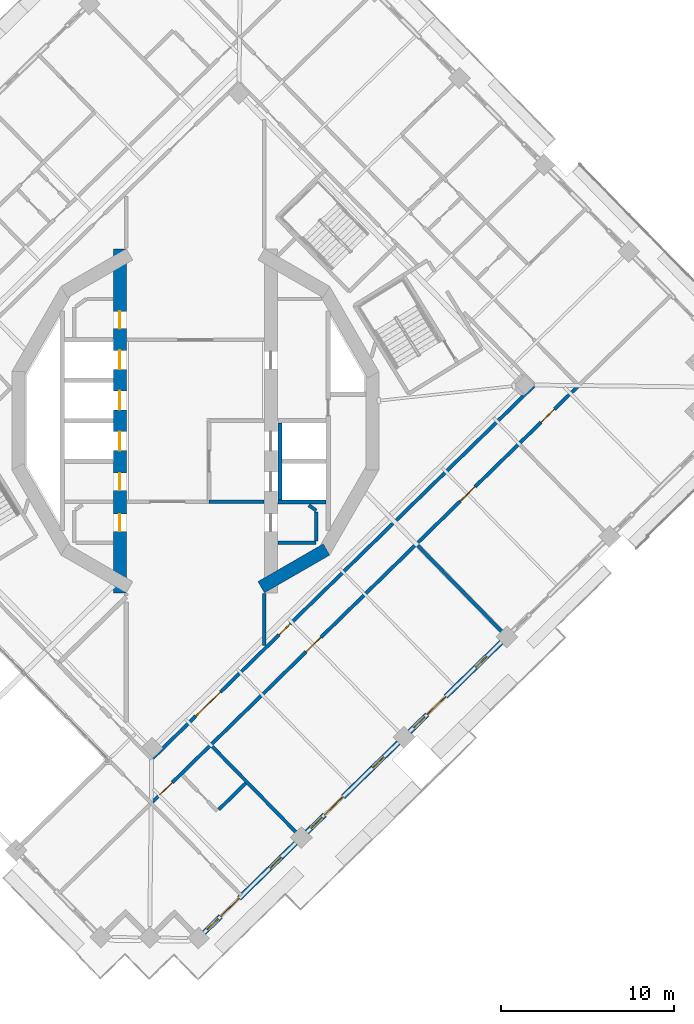
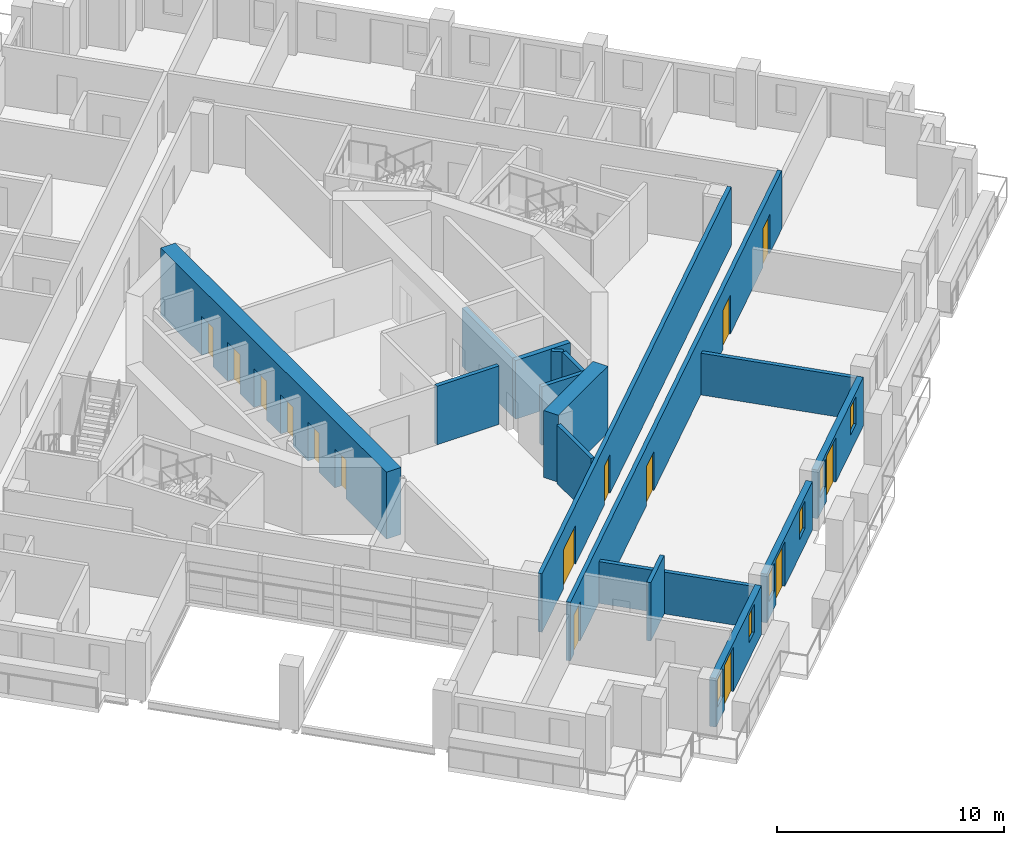
# One storey, part 8 of 19: 17 walls, 15 doors, 6 windows, 21 openings.
"""IFC4 building model written with IfcOpenShell, lengths in metres."""

import ifcopenshell
import ifcopenshell.guid

model = None  # the IFC model being written
_history = None  # IfcOwnerHistory: only IFC2X3 demands one
_inside = {}  # id of a spatial element -> (the spatial element, [elements in it])
_under = {}  # id of a project, library or spatial element -> (it, [spatial elements below it])
_declared = {}  # id of a project -> (the project, [libraries it declares])
_typed = {}  # id of a type object -> (the type object, [elements of that type])
_made_of = {}  # id of a material, layer set ... -> (it, [elements and type objects made of it])


def new_model(schema):
    """Start an empty IFC model of exactly this schema.

    Asked for "IFC4X3", IfcOpenShell would pick the latest addendum, in which some entities
    have other attributes; the version numbers below select the first issue.
    IFC2X3 requires an IfcOwnerHistory on every rooted entity: one is made here for all.
    """
    global model, _history
    if schema == "IFC4X3":
        model = ifcopenshell.file(schema_version=(4, 3, 0, 0))
    else:
        model = ifcopenshell.file(schema=schema)
    _inside.clear()
    _under.clear()
    _declared.clear()
    _typed.clear()
    _made_of.clear()
    _history = None
    if model.schema == "IFC2X3":
        org = make("IfcOrganization", Name="unknown")
        user = make(
            "IfcPersonAndOrganization",
            ThePerson=make("IfcPerson", FamilyName="unknown"),
            TheOrganization=org,
        )
        app = make(
            "IfcApplication",
            ApplicationDeveloper=org,
            Version="unknown",
            ApplicationFullName="unknown",
            ApplicationIdentifier="unknown",
        )
        _history = make(
            "IfcOwnerHistory",
            OwningUser=user,
            OwningApplication=app,
            ChangeAction="ADDED",
            CreationDate=0,
        )
    return model


def make(cls, **values):
    """One entity of the class cls with the attributes given. An attribute that is None is left unset."""
    return model.create_entity(
        cls, **{name: value for name, value in values.items() if value is not None}
    )


def rooted(cls, **values):
    """An entity with a GlobalId (a new one), such as an element, a storey or a relation."""
    return make(cls, GlobalId=ifcopenshell.guid.new(), OwnerHistory=_history, **values)


def si_unit(unit_type, name, prefix=None):
    """IfcSIUnit, for example si_unit("LENGTHUNIT", "METRE", prefix="MILLI")."""
    return make("IfcSIUnit", UnitType=unit_type, Prefix=prefix, Name=name)


def assignment(units):
    """IfcUnitAssignment: the units of a project."""
    return None if units is None else make("IfcUnitAssignment", Units=units)


def point(xyz):
    """IfcCartesianPoint."""
    return None if xyz is None else make("IfcCartesianPoint", Coordinates=xyz)


def direction(xyz):
    """IfcDirection."""
    return None if xyz is None else make("IfcDirection", DirectionRatios=xyz)


def frame(location, z_axis=None, x_axis=None):
    """IfcAxis2Placement3D, a coordinate frame: its origin and axes. An axis left out is left unset."""
    return make(
        "IfcAxis2Placement3D",
        Location=point(location),
        Axis=direction(z_axis),
        RefDirection=direction(x_axis),
    )


def frame_2d(location, x_axis=None):
    """IfcAxis2Placement2D, a coordinate frame in the plane: its origin and x axis."""
    return make(
        "IfcAxis2Placement2D", Location=point(location), RefDirection=direction(x_axis)
    )


def origin():
    """The frame at (0, 0, 0) with its axes left unset."""
    return frame((0.0, 0.0, 0.0))


def place(relative_to, where):
    """IfcLocalPlacement: puts the frame where relative to a parent placement (None: the world)."""
    return make(
        "IfcLocalPlacement", PlacementRelTo=relative_to, RelativePlacement=where
    )


def context(
    kind, dimensions, precision=None, world=None, true_north=None, identifier=None
):
    """IfcGeometricRepresentationContext, for example the 3D "Model" context."""
    return make(
        "IfcGeometricRepresentationContext",
        ContextIdentifier=identifier,
        ContextType=kind,
        CoordinateSpaceDimension=dimensions,
        Precision=precision,
        WorldCoordinateSystem=world,
        TrueNorth=true_north,
    )


def subcontext(parent, identifier, kind, view, scale=None):
    """IfcGeometricRepresentationSubContext, for example "Body" below "Model"."""
    return make(
        "IfcGeometricRepresentationSubContext",
        ContextIdentifier=identifier,
        ContextType=kind,
        ParentContext=parent,
        TargetScale=scale,
        TargetView=view,
    )


def project(units=None, contexts=None):
    """IfcProject with its units and contexts."""
    return rooted(
        "IfcProject",
        Name="project",
        RepresentationContexts=contexts,
        UnitsInContext=assignment(units),
    )


def spatial(cls, under=None, at=None, **own):
    """A site, building, storey or space (cls), placed at a placement, below another one or the project."""
    s = rooted(cls, ObjectPlacement=at, **own)
    if under is not None:
        _under.setdefault(under.id(), (under, []))[1].append(s)
    return s


def profile(cls, at=None, kind="AREA", **sizes):
    """A parametric profile (cls). Its sizes go by their IFC names, for example OverallWidth=200.0."""
    return make(cls, ProfileType=kind, Position=at, **sizes)


def rectangle(**sizes):
    """IfcRectangleProfileDef."""
    return profile("IfcRectangleProfileDef", **sizes)


def extrude(swept, where, along, depth):
    """IfcExtrudedAreaSolid: the profile swept, set in the frame where, extruded along a direction by depth."""
    return make(
        "IfcExtrudedAreaSolid",
        SweptArea=swept,
        Position=where,
        ExtrudedDirection=direction(along),
        Depth=depth,
    )


def shape(context_of_items, identifier, shape_type, items):
    """IfcShapeRepresentation: the items that make up one representation, for example the "Body"."""
    return make(
        "IfcShapeRepresentation",
        ContextOfItems=context_of_items,
        RepresentationIdentifier=identifier,
        RepresentationType=shape_type,
        Items=items,
    )


def material(Name=None, Category=None):
    """IfcMaterial."""
    return make("IfcMaterial", Name=Name, Category=Category)


def layer(
    of_material, thickness, ventilated=None, Name=None, Category=None, Priority=None
):
    """IfcMaterialLayer: one layer of a wall or slab, of a material (None: an air gap)."""
    return make(
        "IfcMaterialLayer",
        Material=of_material,
        LayerThickness=thickness,
        IsVentilated=ventilated,
        Name=Name,
        Category=Category,
        Priority=Priority,
    )


def layer_set(layers, Name=None):
    """IfcMaterialLayerSet."""
    return make("IfcMaterialLayerSet", MaterialLayers=layers, LayerSetName=Name)


def made_of(thing, what):
    """Note that an element or type object is made of a material, layer set ...; save() writes the relation."""
    if what is not None:
        _made_of.setdefault(what.id(), (what, []))[1].append(thing)
    return thing


def type_object(cls, material=None, **own):
    """A type object (cls), such as IfcWallType, which elements share."""
    return made_of(rooted(cls, **own), material)


def element(
    cls,
    number,
    at=None,
    inside=None,
    cuts=None,
    type_object=None,
    material=None,
    context=None,
    identifier="Body",
    shape_type=None,
    held_by="IfcProductDefinitionShape",
    body=None,
    shapes=None,
    **own,
):
    """One element of the class cls, such as IfcWall. Its Tag is "e" and its number.

    at: its placement. inside: the storey or other place that contains it. cuts: it is an
    opening in that element (IfcRelVoidsElement). A single representation is given by context,
    identifier, shape_type and body (its items); several are given by shapes. held_by: the class
    of the entity that holds the representations. save() writes the other relations.
    """
    e = rooted(cls, Tag="e%d" % number, ObjectPlacement=at, **own)
    if body is not None:
        shapes = [shape(context, identifier, shape_type, body)]
    if shapes is not None:
        e.Representation = make(held_by, Representations=shapes)
    if inside is not None:
        _inside.setdefault(inside.id(), (inside, []))[1].append(e)
    if cuts is not None:
        rooted(
            "IfcRelVoidsElement", RelatingBuildingElement=cuts, RelatedOpeningElement=e
        )
    if type_object is not None:
        _typed.setdefault(type_object.id(), (type_object, []))[1].append(e)
    return made_of(e, material)


def fill(opening, filler):
    """IfcRelFillsElement: the door or window that sits in an opening."""
    return rooted(
        "IfcRelFillsElement",
        RelatingOpeningElement=opening,
        RelatedBuildingElement=filler,
    )


def aggregate(whole, parts):
    """IfcRelAggregates: a whole, such as a stair, and the parts it consists of."""
    return rooted("IfcRelAggregates", RelatingObject=whole, RelatedObjects=parts)


def save(model, path):
    """Write the relations noted so far, then the file.

    IfcRelAggregates (storeys below a building ...), IfcRelContainedInSpatialStructure (elements
    in a storey), IfcRelDefinesByType, IfcRelAssociatesMaterial and IfcRelDeclares: one each for
    every whole, place, type object, material and project.
    """
    for whole, parts in _under.values():
        aggregate(whole, parts)
    for where, things in _inside.values():
        rooted(
            "IfcRelContainedInSpatialStructure",
            RelatedElements=things,
            RelatingStructure=where,
        )
    for kind, things in _typed.values():
        rooted("IfcRelDefinesByType", RelatedObjects=things, RelatingType=kind)
    for what, things in _made_of.values():
        rooted("IfcRelAssociatesMaterial", RelatedObjects=things, RelatingMaterial=what)
    for by, libraries in _declared.values():
        rooted("IfcRelDeclares", RelatingContext=by, RelatedDefinitions=libraries)
    model.write(path)


model = new_model("IFC4")

# Units and contexts
model_context = context("Model", 3, precision=1e-05, world=origin(), true_north=direction((0.0, 1.0)))
body_context = subcontext(model_context, "Body", "Model", "MODEL_VIEW")
ifc_project = project(units=[si_unit("LENGTHUNIT", "METRE"), si_unit("AREAUNIT", "SQUARE_METRE"), si_unit("VOLUMEUNIT", "CUBIC_METRE"), si_unit("PLANEANGLEUNIT", "RADIAN"), si_unit("MASSUNIT", "GRAM", prefix="KILO")], contexts=[model_context])

# Site, building, storey
site_placement = place(None, origin())
site = spatial("IfcSite", under=ifc_project, at=site_placement, CompositionType="ELEMENT")
building_placement = place(site_placement, origin())
building = spatial("IfcBuilding", under=site, at=building_placement, Name="Cantera Rosa Tower", CompositionType="ELEMENT")
storey_placement = place(building_placement, frame((0.0, 0.0, 241.39990234375)))
storey = spatial("IfcBuildingStorey", under=building, at=storey_placement, Name="L53", CompositionType="ELEMENT", Elevation=241.39990234375)

# Wall, openings, doors
ifc_material_1 = material(Name="Gypsum board partition")
ifc_layer_1 = layer(ifc_material_1, 0.199951171875)
ifc_layer_set_1 = layer_set([ifc_layer_1], Name="CORRIDOR WALL 200 H3150")
wall_type_1 = type_object("IfcWallType", Name="CORRIDOR WALL 200 H3150", PredefinedType="PARTITIONING", material=ifc_layer_set_1)
wall_1_placement = place(storey_placement, frame((-2.469970703125, -22.0556640625, 0.0), z_axis=(0.0, 0.0, 1.0), x_axis=(0.715286619748, 0.698831203946, 0.0)))
wall_1 = element("IfcWall", 1, at=wall_1_placement, inside=storey, type_object=wall_type_1, Name="CORRIDOR WALL L53-060", PredefinedType="PARTITIONING", context=body_context, shape_type="SweptSolid", body=[
    extrude(rectangle(XDim=34.47998046875, YDim=0.199951171875, at=frame_2d((17.239990234375, 0.0))), origin(), (0.0, 0.0, 1.0), 3.150146484375),
])
opening_1_placement = place(wall_1_placement, frame((12.419921875, 0.0, 0.0)))
opening_1 = element("IfcOpeningElement", 2, at=opening_1_placement, cuts=wall_1, Name="Opening L53-047", PredefinedType="OPENING", context=body_context, shape_type="SweptSolid", body=[
    extrude(rectangle(XDim=1.199951171875, YDim=2.10009765625, at=frame_2d((0.60009765625, 1.050048828125))), frame((0.0, 0.10986328125, 0.0), z_axis=(0.0, -1.0, 0.0), x_axis=(1.0, 0.0, 0.0)), (0.0, 0.0, 1.0), 0.219970703125),
])
opening_2_placement = place(wall_1_placement, frame((24.89990234375, 0.0, 0.0)))
opening_2 = element("IfcOpeningElement", 3, at=opening_2_placement, cuts=wall_1, Name="Opening L53-048", PredefinedType="OPENING", context=body_context, shape_type="SweptSolid", body=[
    extrude(rectangle(XDim=1.199951171875, YDim=2.10009765625, at=frame_2d((0.60009765625, 1.050048828125))), frame((0.0, 0.10986328125, 0.0), z_axis=(0.0, -1.0, 0.0), x_axis=(1.0, 0.0, 0.0)), (0.0, 0.0, 1.0), 0.219970703125),
])
opening_3_placement = place(wall_1_placement, frame((0.590087890625, 0.0, 0.0)))
opening_3 = element("IfcOpeningElement", 4, at=opening_3_placement, cuts=wall_1, Name="Opening L53-049", PredefinedType="OPENING", context=body_context, shape_type="SweptSolid", body=[
    extrude(rectangle(XDim=1.0, YDim=2.10009765625, at=frame_2d((0.5, 1.050048828125))), frame((0.0, 0.10986328125, 0.0), z_axis=(0.0, -1.0, 0.0), x_axis=(1.0, 0.0, 0.0)), (0.0, 0.0, 1.0), 0.219970703125),
])
opening_4_placement = place(wall_1_placement, frame((31.429931640625, 0.0, 0.0)))
opening_4 = element("IfcOpeningElement", 5, at=opening_4_placement, cuts=wall_1, Name="Opening L53-052", PredefinedType="OPENING", context=body_context, shape_type="SweptSolid", body=[
    extrude(rectangle(XDim=1.10009765625, YDim=2.10009765625, at=frame_2d((0.550048828125, 1.050048828125))), frame((0.0, 0.10986328125, 0.0), z_axis=(0.0, -1.0, 0.0), x_axis=(1.0, 0.0, 0.0)), (0.0, 0.0, 1.0), 0.219970703125),
])
ifc_material_2 = material(Name="Timber door leaf", Category="wood")
door_type_1 = type_object("IfcDoorType", Name="ENTRANCE DOOR 1000x2100", OperationType="NOTDEFINED", PredefinedType="DOOR", material=ifc_material_2)
door_1_placement = place(opening_3_placement, origin())
door_1 = element("IfcDoor", 6, at=door_1_placement, inside=storey, type_object=door_type_1, Name="DOOR L53-049", OperationType="NOTDEFINED", OverallHeight=2.10009765625, OverallWidth=1.0, PredefinedType="DOOR", context=body_context, shape_type="SweptSolid", body=[
    extrude(rectangle(XDim=1.0, YDim=2.10009765625, at=frame_2d((0.5, 1.050048828125))), frame((0.0, 0.02490234375, 0.0), z_axis=(0.0, -1.0, 0.0), x_axis=(1.0, 0.0, 0.0)), (0.0, 0.0, 1.0), 0.050048828125),
])
fill(opening_3, door_1)
ifc_material_3 = material(Name="Timber door leaf", Category="wood")
door_type_2 = type_object("IfcDoorType", Name="ROOM DOOR 1100x2100", OperationType="NOTDEFINED", PredefinedType="DOOR", material=ifc_material_3)
door_2_placement = place(opening_4_placement, origin())
door_2 = element("IfcDoor", 7, at=door_2_placement, inside=storey, type_object=door_type_2, Name="DOOR L53-052", OperationType="NOTDEFINED", OverallHeight=2.10009765625, OverallWidth=1.10009765625, PredefinedType="DOOR", context=body_context, shape_type="SweptSolid", body=[
    extrude(rectangle(XDim=1.10009765625, YDim=2.10009765625, at=frame_2d((0.550048828125, 1.050048828125))), frame((0.0, 0.02490234375, 0.0), z_axis=(0.0, -1.0, 0.0), x_axis=(1.0, 0.0, 0.0)), (0.0, 0.0, 1.0), 0.050048828125),
])
fill(opening_4, door_2)
ifc_material_4 = material(Name="Timber door leaf", Category="wood")
door_type_3 = type_object("IfcDoorType", Name="ROOM DOOR 1200x2100", OperationType="NOTDEFINED", PredefinedType="DOOR", material=ifc_material_4)
door_3_placement = place(opening_1_placement, origin())
door_3 = element("IfcDoor", 8, at=door_3_placement, inside=storey, type_object=door_type_3, Name="DOOR L53-047", OperationType="NOTDEFINED", OverallHeight=2.10009765625, OverallWidth=1.199951171875, PredefinedType="DOOR", context=body_context, shape_type="SweptSolid", body=[
    extrude(rectangle(XDim=1.199951171875, YDim=2.10009765625, at=frame_2d((0.60009765625, 1.050048828125))), frame((0.0, 0.02490234375, 0.0), z_axis=(0.0, -1.0, 0.0), x_axis=(1.0, 0.0, 0.0)), (0.0, 0.0, 1.0), 0.050048828125),
])
fill(opening_1, door_3)
door_4_placement = place(opening_2_placement, origin())
door_4 = element("IfcDoor", 9, at=door_4_placement, inside=storey, type_object=door_type_3, Name="DOOR L53-048", OperationType="NOTDEFINED", OverallHeight=2.10009765625, OverallWidth=1.199951171875, PredefinedType="DOOR", context=body_context, shape_type="SweptSolid", body=[
    extrude(rectangle(XDim=1.199951171875, YDim=2.10009765625, at=frame_2d((0.60009765625, 1.050048828125))), frame((0.0, 0.02490234375, 0.0), z_axis=(0.0, -1.0, 0.0), x_axis=(1.0, 0.0, 0.0)), (0.0, 0.0, 1.0), 0.050048828125),
])
fill(opening_2, door_4)

wall_2_placement = place(storey_placement, frame((-2.45458984375, -19.5244140625, 0.0), z_axis=(0.0, 0.0, 1.0), x_axis=(0.715283867267, 0.698834021229, 0.0)))
wall_2 = element("IfcWall", 10, at=wall_2_placement, inside=storey, type_object=wall_type_1, Name="CORRIDOR WALL L53-061", PredefinedType="PARTITIONING", context=body_context, shape_type="SweptSolid", body=[
    extrude(rectangle(XDim=30.900146484375, YDim=0.199951171875, at=frame_2d((15.4501953125, 0.0))), origin(), (0.0, 0.0, 1.0), 3.150146484375),
])
opening_5_placement = place(wall_2_placement, frame((10.20458984375, 0.0, 0.0)))
opening_5 = element("IfcOpeningElement", 11, at=opening_5_placement, cuts=wall_2, Name="Opening L53-011", PredefinedType="OPENING", context=body_context, shape_type="SweptSolid", body=[
    extrude(rectangle(XDim=0.89990234375, YDim=2.10009765625, at=frame_2d((0.449951171875, 1.050048828125))), frame((0.0, 0.10986328125, 0.0), z_axis=(0.0, -1.0, 0.0), x_axis=(1.0, 0.0, 0.0)), (0.0, 0.0, 1.0), 0.219970703125),
])
opening_6_placement = place(wall_2_placement, frame((3.4619140625, 0.0, 0.0)))
opening_6 = element("IfcOpeningElement", 12, at=opening_6_placement, cuts=wall_2, Name="Opening L53-014", PredefinedType="OPENING", context=body_context, shape_type="SweptSolid", body=[
    extrude(rectangle(XDim=2.0, YDim=2.10009765625, at=frame_2d((1.0, 1.050048828125))), frame((0.0, 0.10986328125, 0.0), z_axis=(0.0, -1.0, 0.0), x_axis=(1.0, 0.0, 0.0)), (0.0, 0.0, 1.0), 0.219970703125),
])
ifc_material_5 = material(Name="Steel S355J2 (EN 10025-2)", Category="steel")
door_type_4 = type_object("IfcDoorType", Name="LOBBY SCREEN DOOR 2000x2100", OperationType="NOTDEFINED", PredefinedType="DOOR", material=ifc_material_5)
door_5_placement = place(opening_6_placement, origin())
door_5 = element("IfcDoor", 13, at=door_5_placement, inside=storey, type_object=door_type_4, Name="DOOR L53-014", OperationType="NOTDEFINED", OverallHeight=2.10009765625, OverallWidth=2.0, PredefinedType="DOOR", context=body_context, shape_type="SweptSolid", body=[
    extrude(rectangle(XDim=2.0, YDim=2.10009765625, at=frame_2d((1.0, 1.050048828125))), frame((0.0, 0.02490234375, 0.0), z_axis=(0.0, -1.0, 0.0), x_axis=(1.0, 0.0, 0.0)), (0.0, 0.0, 1.0), 0.050048828125),
])
fill(opening_6, door_5)
ifc_material_6 = material(Name="Timber door leaf", Category="wood")
door_type_5 = type_object("IfcDoorType", Name="SERVICE DOOR 900x2100", OperationType="NOTDEFINED", PredefinedType="DOOR", material=ifc_material_6)
door_6_placement = place(opening_5_placement, origin())
door_6 = element("IfcDoor", 14, at=door_6_placement, inside=storey, type_object=door_type_5, Name="DOOR L53-011", OperationType="NOTDEFINED", OverallHeight=2.10009765625, OverallWidth=0.89990234375, PredefinedType="DOOR", context=body_context, shape_type="SweptSolid", body=[
    extrude(rectangle(XDim=0.89990234375, YDim=2.10009765625, at=frame_2d((0.449951171875, 1.050048828125))), frame((0.0, 0.02490234375, 0.0), z_axis=(0.0, -1.0, 0.0), x_axis=(1.0, 0.0, 0.0)), (0.0, 0.0, 1.0), 0.050048828125),
])
fill(opening_5, door_6)

# Wall
wall_3_placement = place(storey_placement, frame((4.0, -12.998046875, 0.0), z_axis=(0.0, 0.0, 1.0), x_axis=(0.0, 1.0, 0.0)))
element("IfcWall", 15, at=wall_3_placement, inside=storey, type_object=wall_type_1, Name="CORRIDOR WALL L53-073", PredefinedType="PARTITIONING", context=body_context, shape_type="SweptSolid", body=[
    extrude(rectangle(XDim=3.00390625, YDim=0.199951171875, at=frame_2d((1.501953125, 0.0))), origin(), (0.0, 0.0, 1.0), 3.150146484375),
])

# Wall, openings, windows, door
ifc_material_7 = material(Name="Hollow clay masonry with cantera stone cladding", Category="masonry")
ifc_layer_2 = layer(ifc_material_7, 0.300048828125)
ifc_layer_set_2 = layer_set([ifc_layer_2], Name="EW-LOGGIA 300 H2620")
wall_type_2 = type_object("IfcWallType", Name="EW-LOGGIA 300 H2620", PredefinedType="SOLIDWALL", material=ifc_layer_set_2)
wall_4_placement = place(storey_placement, frame((0.503662109375, -29.6357421875, 0.0), z_axis=(0.0, 0.0, 1.0), x_axis=(0.715284379566, 0.698833496871, 0.0)))
wall_4 = element("IfcWall", 16, at=wall_4_placement, inside=storey, type_object=wall_type_2, Name="EN-L53-W21", PredefinedType="SOLIDWALL", context=body_context, shape_type="SweptSolid", body=[
    extrude(rectangle(XDim=7.42041015625, YDim=0.300048828125, at=frame_2d((3.710205078125, 0.0))), origin(), (0.0, 0.0, 1.0), 2.6201171875),
])
opening_7_placement = place(wall_4_placement, frame((0.25, 0.0, 0.89990234375)))
opening_7 = element("IfcOpeningElement", 17, at=opening_7_placement, cuts=wall_4, Name="Opening L53-W37", PredefinedType="OPENING", context=body_context, shape_type="SweptSolid", body=[
    extrude(rectangle(XDim=0.89990234375, YDim=1.5, at=frame_2d((0.449951171875, 0.75))), frame((0.0, 0.159912109375, 0.0), z_axis=(0.0, -1.0, 0.0), x_axis=(1.0, 0.0, 0.0)), (0.0, 0.0, 1.0), 0.320068359375),
])
opening_8_placement = place(wall_4_placement, frame((1.35009765625, 0.0, 0.0)))
opening_8 = element("IfcOpeningElement", 18, at=opening_8_placement, cuts=wall_4, Name="Opening L53-TD38", PredefinedType="OPENING", context=body_context, shape_type="SweptSolid", body=[
    extrude(rectangle(XDim=1.5, YDim=2.39990234375, at=frame_2d((0.75, 1.199951171875))), frame((0.0, 0.159912109375, 0.0), z_axis=(0.0, -1.0, 0.0), x_axis=(1.0, 0.0, 0.0)), (0.0, 0.0, 1.0), 0.320068359375),
])
opening_9_placement = place(wall_4_placement, frame((5.340087890625, 0.0, 0.89990234375)))
opening_9 = element("IfcOpeningElement", 19, at=opening_9_placement, cuts=wall_4, Name="Opening L53-W39", PredefinedType="OPENING", context=body_context, shape_type="SweptSolid", body=[
    extrude(rectangle(XDim=0.89990234375, YDim=1.5, at=frame_2d((0.449951171875, 0.75))), frame((0.0, 0.159912109375, 0.0), z_axis=(0.0, -1.0, 0.0), x_axis=(1.0, 0.0, 0.0)), (0.0, 0.0, 1.0), 0.320068359375),
])
ifc_material_8 = material(Name="Aluminium frame with clear glass", Category="aluminium")
window_type = type_object("IfcWindowType", Name="Residential window 900x1500", PartitioningType="SINGLE_PANEL", PredefinedType="WINDOW", material=ifc_material_8)
window_1_placement = place(opening_7_placement, origin())
window_1 = element("IfcWindow", 20, at=window_1_placement, inside=storey, type_object=window_type, Name="WINDOW L53-W37", OverallHeight=1.5, OverallWidth=0.89990234375, PartitioningType="SINGLE_PANEL", PredefinedType="WINDOW", context=body_context, shape_type="SweptSolid", body=[
    extrude(rectangle(XDim=0.89990234375, YDim=1.5, at=frame_2d((0.449951171875, 0.75))), frame((0.0, 0.030029296875, 0.0), z_axis=(0.0, -1.0, 0.0), x_axis=(1.0, 0.0, 0.0)), (0.0, 0.0, 1.0), 0.06005859375),
])
fill(opening_7, window_1)
window_2_placement = place(opening_9_placement, origin())
window_2 = element("IfcWindow", 21, at=window_2_placement, inside=storey, type_object=window_type, Name="WINDOW L53-W39", OverallHeight=1.5, OverallWidth=0.89990234375, PartitioningType="SINGLE_PANEL", PredefinedType="WINDOW", context=body_context, shape_type="SweptSolid", body=[
    extrude(rectangle(XDim=0.89990234375, YDim=1.5, at=frame_2d((0.449951171875, 0.75))), frame((0.0, 0.030029296875, 0.0), z_axis=(0.0, -1.0, 0.0), x_axis=(1.0, 0.0, 0.0)), (0.0, 0.0, 1.0), 0.06005859375),
])
fill(opening_9, window_2)
ifc_material_9 = material(Name="Aluminium frame with clear glass", Category="aluminium")
door_type_6 = type_object("IfcDoorType", Name="TD-R 1500x2400", OperationType="NOTDEFINED", PredefinedType="DOOR", material=ifc_material_9)
door_7_placement = place(opening_8_placement, origin())
door_7 = element("IfcDoor", 22, at=door_7_placement, inside=storey, type_object=door_type_6, Name="LOGGIA DOOR L53-TD38", OperationType="SLIDING_TO_LEFT", OverallHeight=2.39990234375, OverallWidth=1.5, PredefinedType="DOOR", context=body_context, shape_type="SweptSolid", body=[
    extrude(rectangle(XDim=1.5, YDim=2.39990234375, at=frame_2d((0.75, 1.199951171875))), frame((0.0, 0.02490234375, 0.0), z_axis=(0.0, -1.0, 0.0), x_axis=(1.0, 0.0, 0.0)), (0.0, 0.0, 1.0), 0.050048828125),
])
fill(opening_8, door_7)

wall_5_placement = place(storey_placement, frame((6.454833984375, -23.8212890625, 0.0), z_axis=(0.0, 0.0, 1.0), x_axis=(0.715300826176, 0.698816662703, 0.0)))
wall_5 = element("IfcWall", 23, at=wall_5_placement, inside=storey, type_object=wall_type_2, Name="EN-L53-W22", PredefinedType="SOLIDWALL", context=body_context, shape_type="SweptSolid", body=[
    extrude(rectangle(XDim=7.420166015625, YDim=0.300048828125, at=frame_2d((3.7099609375, 0.0))), origin(), (0.0, 0.0, 1.0), 2.6201171875),
])
opening_10_placement = place(wall_5_placement, frame((0.330078125, 0.0, 0.89990234375)))
opening_10 = element("IfcOpeningElement", 24, at=opening_10_placement, cuts=wall_5, Name="Opening L53-W40", PredefinedType="OPENING", context=body_context, shape_type="SweptSolid", body=[
    extrude(rectangle(XDim=0.89990234375, YDim=1.5, at=frame_2d((0.449951171875, 0.75))), frame((0.0, 0.159912109375, 0.0), z_axis=(0.0, -1.0, 0.0), x_axis=(1.0, 0.0, 0.0)), (0.0, 0.0, 1.0), 0.320068359375),
])
opening_11_placement = place(wall_5_placement, frame((1.429931640625, 0.0, 0.0)))
opening_11 = element("IfcOpeningElement", 25, at=opening_11_placement, cuts=wall_5, Name="Opening L53-TD41", PredefinedType="OPENING", context=body_context, shape_type="SweptSolid", body=[
    extrude(rectangle(XDim=1.5, YDim=2.39990234375, at=frame_2d((0.75, 1.199951171875))), frame((0.0, 0.159912109375, 0.0), z_axis=(0.0, -1.0, 0.0), x_axis=(1.0, 0.0, 0.0)), (0.0, 0.0, 1.0), 0.320068359375),
])
opening_12_placement = place(wall_5_placement, frame((5.340087890625, 0.0, 0.89990234375)))
opening_12 = element("IfcOpeningElement", 26, at=opening_12_placement, cuts=wall_5, Name="Opening L53-W42", PredefinedType="OPENING", context=body_context, shape_type="SweptSolid", body=[
    extrude(rectangle(XDim=0.89990234375, YDim=1.5, at=frame_2d((0.449951171875, 0.75))), frame((0.0, 0.159912109375, 0.0), z_axis=(0.0, -1.0, 0.0), x_axis=(1.0, 0.0, 0.0)), (0.0, 0.0, 1.0), 0.320068359375),
])
window_3_placement = place(opening_10_placement, origin())
window_3 = element("IfcWindow", 27, at=window_3_placement, inside=storey, type_object=window_type, Name="WINDOW L53-W40", OverallHeight=1.5, OverallWidth=0.89990234375, PartitioningType="SINGLE_PANEL", PredefinedType="WINDOW", context=body_context, shape_type="SweptSolid", body=[
    extrude(rectangle(XDim=0.89990234375, YDim=1.5, at=frame_2d((0.449951171875, 0.75))), frame((0.0, 0.030029296875, 0.0), z_axis=(0.0, -1.0, 0.0), x_axis=(1.0, 0.0, 0.0)), (0.0, 0.0, 1.0), 0.06005859375),
])
fill(opening_10, window_3)
window_4_placement = place(opening_12_placement, origin())
window_4 = element("IfcWindow", 28, at=window_4_placement, inside=storey, type_object=window_type, Name="WINDOW L53-W42", OverallHeight=1.5, OverallWidth=0.89990234375, PartitioningType="SINGLE_PANEL", PredefinedType="WINDOW", context=body_context, shape_type="SweptSolid", body=[
    extrude(rectangle(XDim=0.89990234375, YDim=1.5, at=frame_2d((0.449951171875, 0.75))), frame((0.0, 0.030029296875, 0.0), z_axis=(0.0, -1.0, 0.0), x_axis=(1.0, 0.0, 0.0)), (0.0, 0.0, 1.0), 0.06005859375),
])
fill(opening_12, window_4)
door_8_placement = place(opening_11_placement, origin())
door_8 = element("IfcDoor", 29, at=door_8_placement, inside=storey, type_object=door_type_6, Name="LOGGIA DOOR L53-TD41", OperationType="SLIDING_TO_LEFT", OverallHeight=2.39990234375, OverallWidth=1.5, PredefinedType="DOOR", context=body_context, shape_type="SweptSolid", body=[
    extrude(rectangle(XDim=1.5, YDim=2.39990234375, at=frame_2d((0.75, 1.199951171875))), frame((0.0, 0.02490234375, 0.0), z_axis=(0.0, -1.0, 0.0), x_axis=(1.0, 0.0, 0.0)), (0.0, 0.0, 1.0), 0.050048828125),
])
fill(opening_11, door_8)

wall_6_placement = place(storey_placement, frame((12.406005859375, -18.007080078125, 0.0), z_axis=(0.0, 0.0, 1.0), x_axis=(0.715300826176, 0.698816662703, 0.0)))
wall_6 = element("IfcWall", 30, at=wall_6_placement, inside=storey, type_object=wall_type_2, Name="EN-L53-W23", PredefinedType="SOLIDWALL", context=body_context, shape_type="SweptSolid", body=[
    extrude(rectangle(XDim=7.420166015625, YDim=0.300048828125, at=frame_2d((3.7099609375, 0.0))), origin(), (0.0, 0.0, 1.0), 2.6201171875),
])
opening_13_placement = place(wall_6_placement, frame((0.330078125, 0.0, 0.89990234375)))
opening_13 = element("IfcOpeningElement", 31, at=opening_13_placement, cuts=wall_6, Name="Opening L53-W43", PredefinedType="OPENING", context=body_context, shape_type="SweptSolid", body=[
    extrude(rectangle(XDim=0.89990234375, YDim=1.5, at=frame_2d((0.449951171875, 0.75))), frame((0.0, 0.159912109375, 0.0), z_axis=(0.0, -1.0, 0.0), x_axis=(1.0, 0.0, 0.0)), (0.0, 0.0, 1.0), 0.320068359375),
])
opening_14_placement = place(wall_6_placement, frame((1.429931640625, 0.0, 0.0)))
opening_14 = element("IfcOpeningElement", 32, at=opening_14_placement, cuts=wall_6, Name="Opening L53-TD44", PredefinedType="OPENING", context=body_context, shape_type="SweptSolid", body=[
    extrude(rectangle(XDim=1.5, YDim=2.39990234375, at=frame_2d((0.75, 1.199951171875))), frame((0.0, 0.159912109375, 0.0), z_axis=(0.0, -1.0, 0.0), x_axis=(1.0, 0.0, 0.0)), (0.0, 0.0, 1.0), 0.320068359375),
])
opening_15_placement = place(wall_6_placement, frame((5.340087890625, 0.0, 0.89990234375)))
opening_15 = element("IfcOpeningElement", 33, at=opening_15_placement, cuts=wall_6, Name="Opening L53-W45", PredefinedType="OPENING", context=body_context, shape_type="SweptSolid", body=[
    extrude(rectangle(XDim=0.89990234375, YDim=1.5, at=frame_2d((0.449951171875, 0.75))), frame((0.0, 0.159912109375, 0.0), z_axis=(0.0, -1.0, 0.0), x_axis=(1.0, 0.0, 0.0)), (0.0, 0.0, 1.0), 0.320068359375),
])
window_5_placement = place(opening_13_placement, origin())
window_5 = element("IfcWindow", 34, at=window_5_placement, inside=storey, type_object=window_type, Name="WINDOW L53-W43", OverallHeight=1.5, OverallWidth=0.89990234375, PartitioningType="SINGLE_PANEL", PredefinedType="WINDOW", context=body_context, shape_type="SweptSolid", body=[
    extrude(rectangle(XDim=0.89990234375, YDim=1.5, at=frame_2d((0.449951171875, 0.75))), frame((0.0, 0.030029296875, 0.0), z_axis=(0.0, -1.0, 0.0), x_axis=(1.0, 0.0, 0.0)), (0.0, 0.0, 1.0), 0.06005859375),
])
fill(opening_13, window_5)
window_6_placement = place(opening_15_placement, origin())
window_6 = element("IfcWindow", 35, at=window_6_placement, inside=storey, type_object=window_type, Name="WINDOW L53-W45", OverallHeight=1.5, OverallWidth=0.89990234375, PartitioningType="SINGLE_PANEL", PredefinedType="WINDOW", context=body_context, shape_type="SweptSolid", body=[
    extrude(rectangle(XDim=0.89990234375, YDim=1.5, at=frame_2d((0.449951171875, 0.75))), frame((0.0, 0.030029296875, 0.0), z_axis=(0.0, -1.0, 0.0), x_axis=(1.0, 0.0, 0.0)), (0.0, 0.0, 1.0), 0.06005859375),
])
fill(opening_15, window_6)
door_9_placement = place(opening_14_placement, origin())
door_9 = element("IfcDoor", 36, at=door_9_placement, inside=storey, type_object=door_type_6, Name="LOGGIA DOOR L53-TD44", OperationType="SLIDING_TO_LEFT", OverallHeight=2.39990234375, OverallWidth=1.5, PredefinedType="DOOR", context=body_context, shape_type="SweptSolid", body=[
    extrude(rectangle(XDim=1.5, YDim=2.39990234375, at=frame_2d((0.75, 1.199951171875))), frame((0.0, 0.02490234375, 0.0), z_axis=(0.0, -1.0, 0.0), x_axis=(1.0, 0.0, 0.0)), (0.0, 0.0, 1.0), 0.050048828125),
])
fill(opening_14, door_9)

# Walls
ifc_material_10 = material(Name="Gypsum board partition")
ifc_layer_3 = layer(ifc_material_10, 0.199951171875)
ifc_layer_set_3 = layer_set([ifc_layer_3], Name="PARTITION 200 H2250")
wall_type_3 = type_object("IfcWallType", Name="PARTITION 200 H2250", PredefinedType="PARTITIONING", material=ifc_layer_set_3)
wall_7_placement = place(storey_placement, frame((12.8779296875, -7.228515625, 0.0), z_axis=(0.0, 0.0, 1.0), x_axis=(0.698837952642, -0.715280026246, 0.0)))
element("IfcWall", 37, at=wall_7_placement, inside=storey, type_object=wall_type_3, Name="PARTITION L53-101", PredefinedType="PARTITIONING", context=body_context, shape_type="SweptSolid", body=[
    extrude(rectangle(XDim=7.35009765625, YDim=0.199951171875, at=frame_2d((3.675048828125, 0.0))), origin(), (0.0, 0.0, 1.0), 2.25),
])
ifc_material_11 = material(Name="Gypsum board partition")
ifc_layer_4 = layer(ifc_material_11, 0.199951171875)
ifc_layer_set_4 = layer_set([ifc_layer_4], Name="PARTITION 200 H3150")
wall_type_4 = type_object("IfcWallType", Name="PARTITION 200 H3150", PredefinedType="PARTITIONING", material=ifc_layer_set_4)
wall_8_placement = place(storey_placement, frame((2.916748046875, -20.98681640625, 0.0), z_axis=(0.0, 0.0, 1.0), x_axis=(-0.715234272025, -0.69888478029, 0.0)))
element("IfcWall", 38, at=wall_8_placement, inside=storey, type_object=wall_type_4, Name="PARTITION L53-071", PredefinedType="PARTITIONING", context=body_context, shape_type="SweptSolid", body=[
    extrude(rectangle(XDim=2.18017578125, YDim=0.199951171875, at=frame_2d((1.090087890625, 0.0))), origin(), (0.0, 0.0, 1.0), 3.150146484375),
])
wall_9_placement = place(storey_placement, frame((6.572509765625, -4.888427734375, 0.0), z_axis=(0.0, 0.0, 1.0), x_axis=(0.808176867567, -0.588939853236, 0.0)))
element("IfcWall", 39, at=wall_9_placement, inside=storey, type_object=wall_type_4, Name="PARTITION L53-082", PredefinedType="PARTITIONING", context=body_context, shape_type="SweptSolid", body=[
    extrude(rectangle(XDim=0.529052734375, YDim=0.199951171875, at=frame_2d((0.2646484375, 0.0))), origin(), (0.0, 0.0, 1.0), 3.150146484375),
])
wall_10_placement = place(storey_placement, frame((7.0, -7.050048828125, 0.0), z_axis=(0.0, 0.0, 1.0), x_axis=(-1.0, 0.0, 0.0)))
element("IfcWall", 40, at=wall_10_placement, inside=storey, type_object=wall_type_4, Name="PARTITION L53-083", PredefinedType="PARTITIONING", context=body_context, shape_type="SweptSolid", body=[
    extrude(rectangle(XDim=2.219970703125, YDim=0.199951171875, at=frame_2d((1.10986328125, 0.0))), origin(), (0.0, 0.0, 1.0), 3.150146484375),
])
wall_11_placement = place(storey_placement, frame((7.0, -5.280029296875, 0.0), z_axis=(0.0, 0.0, 1.0), x_axis=(0.0, -1.0, 0.0)))
element("IfcWall", 41, at=wall_11_placement, inside=storey, type_object=wall_type_4, Name="PARTITION L53-084", PredefinedType="PARTITIONING", context=body_context, shape_type="SweptSolid", body=[
    extrude(rectangle(XDim=1.68994140625, YDim=0.199951171875, at=frame_2d((0.844970703125, 0.0))), origin(), (0.0, 0.0, 1.0), 3.150146484375),
])
ifc_material_12 = material(Name="Gypsum board partition")
ifc_layer_5 = layer(ifc_material_12, 0.199951171875)
ifc_layer_set_5 = layer_set([ifc_layer_5], Name="PARTY WALL 200 H2250")
wall_type_5 = type_object("IfcWallType", Name="PARTY WALL 200 H2250", PredefinedType="PARTITIONING", material=ifc_layer_set_5)
wall_12_placement = place(storey_placement, frame((6.112060546875, -24.114501953125, 0.0), z_axis=(0.0, 0.0, 1.0), x_axis=(-0.698821349183, 0.715296247667, 0.0)))
element("IfcWall", 42, at=wall_12_placement, inside=storey, type_object=wall_type_5, Name="PARTY WALL L53-081", PredefinedType="PARTITIONING", context=body_context, shape_type="SweptSolid", body=[
    extrude(rectangle(XDim=7.35009765625, YDim=0.199951171875, at=frame_2d((3.675048828125, 0.0))), origin(), (0.0, 0.0, 1.0), 2.25),
])

# Wall, openings, doors
ifc_material_13 = material(Name="Concrete C60/75", Category="concrete")
ifc_layer_6 = layer(ifc_material_13, 0.75)
ifc_layer_set_6 = layer_set([ifc_layer_6], Name="RC CORE WALL 750 C60/75")
wall_type_6 = type_object("IfcWallType", Name="RC CORE WALL 750 C60/75", PredefinedType="SHEAR", material=ifc_layer_set_6)
wall_13_placement = place(storey_placement, frame((-4.375, 9.95947265625, 0.0), z_axis=(0.0, 0.0, 1.0), x_axis=(0.0, -1.0, 0.0)))
wall_13 = element("IfcWall", 43, at=wall_13_placement, inside=storey, type_object=wall_type_6, Name="CW-W6 L53", PredefinedType="SHEAR", context=body_context, shape_type="SweptSolid", body=[
    extrude(rectangle(XDim=19.9189453125, YDim=0.75, at=frame_2d((9.95947265625, 0.0))), origin(), (0.0, 0.0, 1.0), 3.60009765625),
])
opening_16_placement = place(wall_13_placement, frame((10.58447265625, 0.0, 0.0)))
opening_16 = element("IfcOpeningElement", 44, at=opening_16_placement, cuts=wall_13, Name="Opening LD-H1-L53", PredefinedType="OPENING", context=body_context, shape_type="SweptSolid", body=[
    extrude(rectangle(XDim=1.10009765625, YDim=2.10009765625, at=frame_2d((0.550048828125, 1.050048828125))), frame((0.0, 0.385009765625, 0.0), z_axis=(0.0, -1.0, 0.0), x_axis=(1.0, 0.0, 0.0)), (0.0, 0.0, 1.0), 0.77001953125),
])
opening_17_placement = place(wall_13_placement, frame((8.234619140625, 0.0, 0.0)))
opening_17 = element("IfcOpeningElement", 45, at=opening_17_placement, cuts=wall_13, Name="Opening LD-H2-L53", PredefinedType="OPENING", context=body_context, shape_type="SweptSolid", body=[
    extrude(rectangle(XDim=1.10009765625, YDim=2.10009765625, at=frame_2d((0.550048828125, 1.050048828125))), frame((0.0, 0.385009765625, 0.0), z_axis=(0.0, -1.0, 0.0), x_axis=(1.0, 0.0, 0.0)), (0.0, 0.0, 1.0), 0.77001953125),
])
opening_18_placement = place(wall_13_placement, frame((5.884521484375, 0.0, 0.0)))
opening_18 = element("IfcOpeningElement", 46, at=opening_18_placement, cuts=wall_13, Name="Opening LD-H3-L53", PredefinedType="OPENING", context=body_context, shape_type="SweptSolid", body=[
    extrude(rectangle(XDim=1.10009765625, YDim=2.10009765625, at=frame_2d((0.550048828125, 1.050048828125))), frame((0.0, 0.385009765625, 0.0), z_axis=(0.0, -1.0, 0.0), x_axis=(1.0, 0.0, 0.0)), (0.0, 0.0, 1.0), 0.77001953125),
])
opening_19_placement = place(wall_13_placement, frame((15.368408203125, 0.0, 0.0)))
opening_19 = element("IfcOpeningElement", 47, at=opening_19_placement, cuts=wall_13, Name="Opening SD-L53-17", PredefinedType="OPENING", context=body_context, shape_type="SweptSolid", body=[
    extrude(rectangle(XDim=1.0, YDim=2.10009765625, at=frame_2d((0.5, 1.050048828125))), frame((0.0, 0.385009765625, 0.0), z_axis=(0.0, -1.0, 0.0), x_axis=(1.0, 0.0, 0.0)), (0.0, 0.0, 1.0), 0.77001953125),
])
opening_20_placement = place(wall_13_placement, frame((3.618408203125, 0.0, 0.0)))
opening_20 = element("IfcOpeningElement", 48, at=opening_20_placement, cuts=wall_13, Name="Opening SD-L53-18", PredefinedType="OPENING", context=body_context, shape_type="SweptSolid", body=[
    extrude(rectangle(XDim=1.0, YDim=2.10009765625, at=frame_2d((0.5, 1.050048828125))), frame((0.0, 0.385009765625, 0.0), z_axis=(0.0, -1.0, 0.0), x_axis=(1.0, 0.0, 0.0)), (0.0, 0.0, 1.0), 0.77001953125),
])
opening_21_placement = place(wall_13_placement, frame((12.984619140625, 0.0, 0.0)))
opening_21 = element("IfcOpeningElement", 49, at=opening_21_placement, cuts=wall_13, Name="Opening SD-L53-19", PredefinedType="OPENING", context=body_context, shape_type="SweptSolid", body=[
    extrude(rectangle(XDim=1.0, YDim=2.10009765625, at=frame_2d((0.5, 1.050048828125))), frame((0.0, 0.385009765625, 0.0), z_axis=(0.0, -1.0, 0.0), x_axis=(1.0, 0.0, 0.0)), (0.0, 0.0, 1.0), 0.77001953125),
])
ifc_material_14 = material(Name="Steel S355J2 (EN 10025-2)", Category="steel")
door_type_7 = type_object("IfcDoorType", Name="LANDING DOOR 1100x2100", OperationType="NOTDEFINED", PredefinedType="DOOR", material=ifc_material_14)
door_10_placement = place(opening_16_placement, origin())
door_10 = element("IfcDoor", 50, at=door_10_placement, inside=storey, type_object=door_type_7, Name="LANDING DOOR H1 L53", OperationType="SLIDING_TO_LEFT", OverallHeight=2.10009765625, OverallWidth=1.10009765625, PredefinedType="DOOR", context=body_context, shape_type="SweptSolid", body=[
    extrude(rectangle(XDim=1.10009765625, YDim=2.10009765625, at=frame_2d((0.550048828125, 1.050048828125))), frame((0.0, 0.02490234375, 0.0), z_axis=(0.0, -1.0, 0.0), x_axis=(1.0, 0.0, 0.0)), (0.0, 0.0, 1.0), 0.050048828125),
])
fill(opening_16, door_10)
door_11_placement = place(opening_17_placement, origin())
door_11 = element("IfcDoor", 51, at=door_11_placement, inside=storey, type_object=door_type_7, Name="LANDING DOOR H2 L53", OperationType="SLIDING_TO_LEFT", OverallHeight=2.10009765625, OverallWidth=1.10009765625, PredefinedType="DOOR", context=body_context, shape_type="SweptSolid", body=[
    extrude(rectangle(XDim=1.10009765625, YDim=2.10009765625, at=frame_2d((0.550048828125, 1.050048828125))), frame((0.0, 0.02490234375, 0.0), z_axis=(0.0, -1.0, 0.0), x_axis=(1.0, 0.0, 0.0)), (0.0, 0.0, 1.0), 0.050048828125),
])
fill(opening_17, door_11)
door_12_placement = place(opening_18_placement, origin())
door_12 = element("IfcDoor", 52, at=door_12_placement, inside=storey, type_object=door_type_7, Name="LANDING DOOR H3 L53", OperationType="SLIDING_TO_LEFT", OverallHeight=2.10009765625, OverallWidth=1.10009765625, PredefinedType="DOOR", context=body_context, shape_type="SweptSolid", body=[
    extrude(rectangle(XDim=1.10009765625, YDim=2.10009765625, at=frame_2d((0.550048828125, 1.050048828125))), frame((0.0, 0.02490234375, 0.0), z_axis=(0.0, -1.0, 0.0), x_axis=(1.0, 0.0, 0.0)), (0.0, 0.0, 1.0), 0.050048828125),
])
fill(opening_18, door_12)
ifc_material_15 = material(Name="Timber door leaf", Category="wood")
door_type_8 = type_object("IfcDoorType", Name="SERVICE DOOR 1000x2100", OperationType="NOTDEFINED", PredefinedType="DOOR", material=ifc_material_15)
door_13_placement = place(opening_19_placement, origin())
door_13 = element("IfcDoor", 53, at=door_13_placement, inside=storey, type_object=door_type_8, Name="DOOR L53-SD17", OperationType="NOTDEFINED", OverallHeight=2.10009765625, OverallWidth=1.0, PredefinedType="DOOR", context=body_context, shape_type="SweptSolid", body=[
    extrude(rectangle(XDim=1.0, YDim=2.10009765625, at=frame_2d((0.5, 1.050048828125))), frame((0.0, 0.02490234375, 0.0), z_axis=(0.0, -1.0, 0.0), x_axis=(1.0, 0.0, 0.0)), (0.0, 0.0, 1.0), 0.050048828125),
])
fill(opening_19, door_13)
door_14_placement = place(opening_20_placement, origin())
door_14 = element("IfcDoor", 54, at=door_14_placement, inside=storey, type_object=door_type_8, Name="DOOR L53-SD18", OperationType="NOTDEFINED", OverallHeight=2.10009765625, OverallWidth=1.0, PredefinedType="DOOR", context=body_context, shape_type="SweptSolid", body=[
    extrude(rectangle(XDim=1.0, YDim=2.10009765625, at=frame_2d((0.5, 1.050048828125))), frame((0.0, 0.02490234375, 0.0), z_axis=(0.0, -1.0, 0.0), x_axis=(1.0, 0.0, 0.0)), (0.0, 0.0, 1.0), 0.050048828125),
])
fill(opening_20, door_14)
door_15_placement = place(opening_21_placement, origin())
door_15 = element("IfcDoor", 55, at=door_15_placement, inside=storey, type_object=door_type_8, Name="DOOR L53-SD19", OperationType="NOTDEFINED", OverallHeight=2.10009765625, OverallWidth=1.0, PredefinedType="DOOR", context=body_context, shape_type="SweptSolid", body=[
    extrude(rectangle(XDim=1.0, YDim=2.10009765625, at=frame_2d((0.5, 1.050048828125))), frame((0.0, 0.02490234375, 0.0), z_axis=(0.0, -1.0, 0.0), x_axis=(1.0, 0.0, 0.0)), (0.0, 0.0, 1.0), 0.050048828125),
])
fill(opening_21, door_15)

# Walls
wall_14_placement = place(storey_placement, frame((7.590576171875, -7.453369140625, 0.0), z_axis=(0.0, 0.0, 1.0), x_axis=(-0.866013176292, -0.50002117804, 0.0)))
element("IfcWall", 56, at=wall_14_placement, inside=storey, type_object=wall_type_6, Name="CW-E5 L53", PredefinedType="SHEAR", context=body_context, shape_type="SweptSolid", body=[
    extrude(rectangle(XDim=4.362548828125, YDim=0.75, at=frame_2d((2.18115234375, 0.0))), origin(), (0.0, 0.0, 1.0), 3.60009765625),
])
ifc_material_16 = material(Name="Masonry blockwork", Category="masonry")
ifc_layer_7 = layer(ifc_material_16, 0.25)
ifc_layer_set_7 = layer_set([ifc_layer_7], Name="SHAFT WALL 250 H3150")
wall_type_7 = type_object("IfcWallType", Name="SHAFT WALL 250 H3150", PredefinedType="SOLIDWALL", material=ifc_layer_set_7)
wall_15_placement = place(storey_placement, frame((4.89990234375, -0.125, 0.0), z_axis=(0.0, 0.0, 1.0), x_axis=(0.0, -1.0, 0.0)))
element("IfcWall", 57, at=wall_15_placement, inside=storey, type_object=wall_type_7, Name="SHAFT WALL L53-078", PredefinedType="SOLIDWALL", context=body_context, shape_type="SweptSolid", body=[
    extrude(rectangle(XDim=4.449951171875, YDim=0.25, at=frame_2d((2.22509765625, 0.0))), origin(), (0.0, 0.0, 1.0), 3.150146484375),
])
wall_16_placement = place(storey_placement, frame((7.574951171875, -4.699951171875, 0.0), z_axis=(0.0, 0.0, 1.0), x_axis=(-1.0, 0.0, 0.0)))
element("IfcWall", 58, at=wall_16_placement, inside=storey, type_object=wall_type_7, Name="SHAFT WALL L53-088", PredefinedType="SOLIDWALL", context=body_context, shape_type="SweptSolid", body=[
    extrude(rectangle(XDim=2.794921875, YDim=0.25, at=frame_2d((1.3974609375, 0.0))), origin(), (0.0, 0.0, 1.0), 3.150146484375),
])
ifc_material_17 = material(Name="Concrete C50/60", Category="concrete")
ifc_layer_8 = layer(ifc_material_17, 0.199951171875)
ifc_layer_set_8 = layer_set([ifc_layer_8], Name="STAIR WALL 200 H3150")
wall_type_8 = type_object("IfcWallType", Name="STAIR WALL 200 H3150", PredefinedType="SOLIDWALL", material=ifc_layer_set_8)
wall_17_placement = place(storey_placement, frame((3.969970703125, -4.699951171875, 0.0), z_axis=(0.0, 0.0, 1.0), x_axis=(-1.0, 0.0, 0.0)))
element("IfcWall", 59, at=wall_17_placement, inside=storey, type_object=wall_type_8, Name="STAIR WALL L53-072", PredefinedType="SOLIDWALL", context=body_context, shape_type="SweptSolid", body=[
    extrude(rectangle(XDim=3.169921875, YDim=0.199951171875, at=frame_2d((1.5849609375, 0.0))), origin(), (0.0, 0.0, 1.0), 3.150146484375),
])

save(model, "model.ifc")
